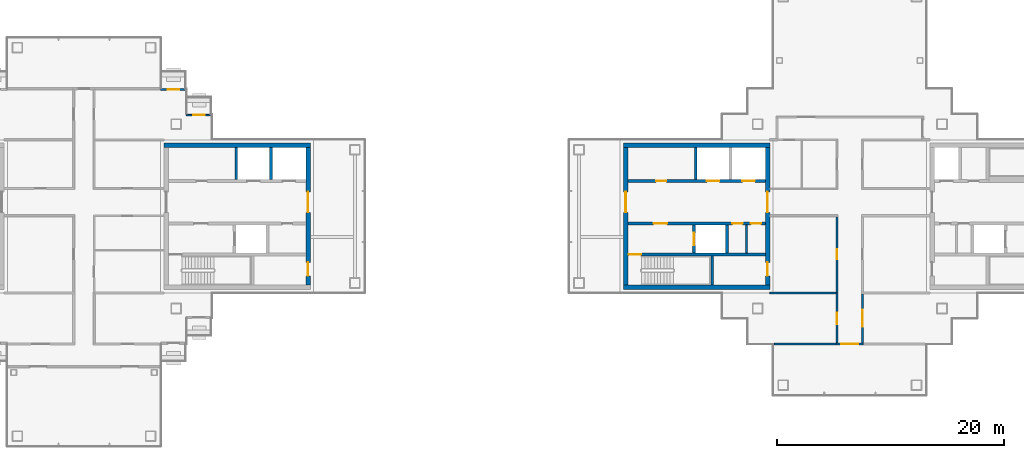
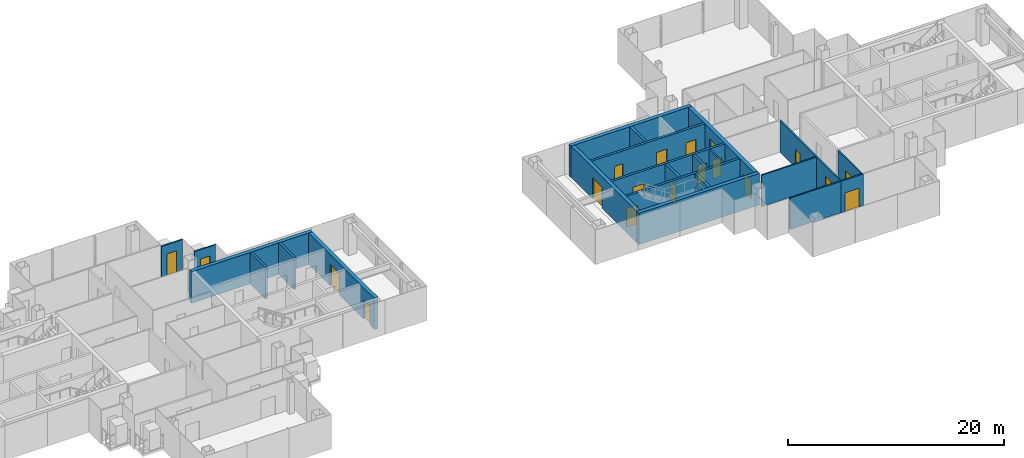
# One storey, part 11 of 16: 23 walls, 19 doors, 19 openings.
"""IFC4 building model written with IfcOpenShell, lengths in metres."""

from ifc_helpers import new_model, si_unit, direction, frame, frame_2d, origin, place, context, subcontext, project, spatial, rectangle, extrude, material, layer, layer_set, type_object, element, fill, save


model = new_model("IFC4")

# Units and contexts
model_context = context("Model", 3, precision=1e-05, world=origin(), true_north=direction((0.0, 1.0)))
body_context = subcontext(model_context, "Body", "Model", "MODEL_VIEW")
ifc_project = project(units=[si_unit("LENGTHUNIT", "METRE"), si_unit("AREAUNIT", "SQUARE_METRE"), si_unit("VOLUMEUNIT", "CUBIC_METRE"), si_unit("PLANEANGLEUNIT", "RADIAN"), si_unit("MASSUNIT", "GRAM", prefix="KILO")], contexts=[model_context])

# Site, building, storey
site_placement = place(None, origin())
site = spatial("IfcSite", under=ifc_project, at=site_placement, CompositionType="ELEMENT")
building_placement = place(site_placement, origin())
building = spatial("IfcBuilding", under=site, at=building_placement, Name="Shamsa Quay Exchange Towers", CompositionType="ELEMENT")
storey_placement = place(building_placement, frame((0.0, 0.0, 261.60009765625)))
storey = spatial("IfcBuildingStorey", under=building, at=storey_placement, Name="L63", CompositionType="ELEMENT", Elevation=261.60009765625)

# Wall, opening, door
ifc_material_1 = material(Name="Aluminium EN AW-6063 T6, black anodised, with black enamelled glass infill", Category="aluminium")
ifc_layer_1 = layer(ifc_material_1, 0.14990234375)
ifc_layer_set_1 = layer_set([ifc_layer_1], Name="BALCONY DOOR BAY WALL 150")
wall_type_1 = type_object("IfcWallType", Name="BALCONY DOOR BAY WALL 150", PredefinedType="SOLIDWALL", material=ifc_layer_set_1)
wall_1_placement = place(storey_placement, frame((-24.75, 8.925048828125, 0.0)))
wall_1 = element("IfcWall", 1, at=wall_1_placement, inside=storey, type_object=wall_type_1, Name="Door bay T1-PKEN L63", PredefinedType="SOLIDWALL", context=body_context, shape_type="SweptSolid", body=[
    extrude(rectangle(XDim=2.25, YDim=0.14990234375, at=frame_2d((1.125, 0.0))), origin(), (0.0, 0.0, 1.0), 3.449951171875),
])
opening_1_placement = place(wall_1_placement, frame((0.625, 0.0, 0.0)))
opening_1 = element("IfcOpeningElement", 2, at=opening_1_placement, cuts=wall_1, Name="Opening XD425", PredefinedType="OPENING", context=body_context, shape_type="SweptSolid", body=[
    extrude(rectangle(XDim=1.0, YDim=2.39990234375, at=frame_2d((0.5, 1.199951171875))), frame((0.0, 0.0849609375, 0.0), z_axis=(0.0, -1.0, 0.0), x_axis=(1.0, 0.0, 0.0)), (0.0, 0.0, 1.0), 0.169921875),
])
ifc_material_2 = material(Name="Aluminium EN AW-6063 T6, black anodised, with laminated glass leaf", Category="aluminium")
door_type_1 = type_object("IfcDoorType", Name="BALCONY DOOR 1000x2400", OperationType="SINGLE_SWING_LEFT", PredefinedType="DOOR", material=ifc_material_2)
door_1_placement = place(opening_1_placement, origin())
door_1 = element("IfcDoor", 3, at=door_1_placement, inside=storey, type_object=door_type_1, Name="Balcony door T1-PKEN L63", OperationType="SINGLE_SWING_RIGHT", OverallHeight=2.39990234375, OverallWidth=1.0, PredefinedType="DOOR", context=body_context, shape_type="SweptSolid", body=[
    extrude(rectangle(XDim=1.0, YDim=2.39990234375, at=frame_2d((0.5, 1.199951171875))), frame((0.0, 0.02490234375, 0.0), z_axis=(0.0, -1.0, 0.0), x_axis=(1.0, 0.0, 0.0)), (0.0, 0.0, 1.0), 0.050048828125),
])
fill(opening_1, door_1)

wall_2_placement = place(storey_placement, frame((-27.0, 11.175048828125, 0.0)))
wall_2 = element("IfcWall", 4, at=wall_2_placement, inside=storey, type_object=wall_type_1, Name="Door bay T1-PKEN L63", PredefinedType="SOLIDWALL", context=body_context, shape_type="SweptSolid", body=[
    extrude(rectangle(XDim=2.25, YDim=0.14990234375, at=frame_2d((1.125, 0.0))), origin(), (0.0, 0.0, 1.0), 3.449951171875),
])
opening_2_placement = place(wall_2_placement, frame((0.625, 0.0, 0.0)))
opening_2 = element("IfcOpeningElement", 5, at=opening_2_placement, cuts=wall_2, Name="Opening XD426", PredefinedType="OPENING", context=body_context, shape_type="SweptSolid", body=[
    extrude(rectangle(XDim=1.0, YDim=2.39990234375, at=frame_2d((0.5, 1.199951171875))), frame((0.0, 0.0849609375, 0.0), z_axis=(0.0, -1.0, 0.0), x_axis=(1.0, 0.0, 0.0)), (0.0, 0.0, 1.0), 0.169921875),
])
door_2_placement = place(opening_2_placement, origin())
door_2 = element("IfcDoor", 6, at=door_2_placement, inside=storey, type_object=door_type_1, Name="Balcony door T1-PKEN L63", OperationType="SINGLE_SWING_LEFT", OverallHeight=2.39990234375, OverallWidth=1.0, PredefinedType="DOOR", context=body_context, shape_type="SweptSolid", body=[
    extrude(rectangle(XDim=1.0, YDim=2.39990234375, at=frame_2d((0.5, 1.199951171875))), frame((0.0, 0.02490234375, 0.0), z_axis=(0.0, -1.0, 0.0), x_axis=(1.0, 0.0, 0.0)), (0.0, 0.0, 1.0), 0.050048828125),
])
fill(opening_2, door_2)

# Wall
ifc_material_3 = material(Name="Concrete C60/75", Category="concrete")
ifc_layer_2 = layer(ifc_material_3, 0.39990234375)
ifc_layer_set_2 = layer_set([ifc_layer_2], Name="CORE WALL 400 C60/75")
wall_type_2 = type_object("IfcWallType", Name="CORE WALL 400 C60/75", PredefinedType="SHEAR", material=ifc_layer_set_2)
wall_3_placement = place(storey_placement, frame((-26.699951171875, 6.25, 0.0)))
element("IfcWall", 7, at=wall_3_placement, inside=storey, type_object=wall_type_2, Name="Core wall T1A-R29-PN", PredefinedType="SHEAR", context=body_context, shape_type="SweptSolid", body=[
    extrude(rectangle(XDim=12.89990234375, YDim=0.39990234375, at=frame_2d((6.449951171875, 0.0))), origin(), (0.0, 0.0, 1.0), 3.5498046875),
])

# Wall, openings, doors
wall_4_placement = place(storey_placement, frame((-14.0, 6.050048828125, 0.0), z_axis=(0.0, 0.0, 1.0), x_axis=(0.0, -1.0, 0.0)))
wall_4 = element("IfcWall", 8, at=wall_4_placement, inside=storey, type_object=wall_type_2, Name="Core wall T1A-R29-PB", PredefinedType="SHEAR", context=body_context, shape_type="SweptSolid", body=[
    extrude(rectangle(XDim=12.10009765625, YDim=0.39990234375, at=frame_2d((6.050048828125, 0.0))), origin(), (0.0, 0.0, 1.0), 3.5498046875),
])
opening_3_placement = place(wall_4_placement, frame((10.10009765625, 0.0, 0.0)))
opening_3 = element("IfcOpeningElement", 9, at=opening_3_placement, cuts=wall_4, Name="Opening T1A-R29-RD02", PredefinedType="OPENING", context=body_context, shape_type="SweptSolid", body=[
    extrude(rectangle(XDim=1.199951171875, YDim=2.10009765625, at=frame_2d((0.60009765625, 1.050048828125))), frame((0.0, 0.2099609375, 0.0), z_axis=(0.0, -1.0, 0.0), x_axis=(1.0, 0.0, 0.0)), (0.0, 0.0, 1.0), 0.419921875),
])
opening_4_placement = place(wall_4_placement, frame((3.89990234375, 0.0, 0.0)))
opening_4 = element("IfcOpeningElement", 10, at=opening_4_placement, cuts=wall_4, Name="Opening T1A-R29-LBD03", PredefinedType="OPENING", context=body_context, shape_type="SweptSolid", body=[
    extrude(rectangle(XDim=1.800048828125, YDim=2.39990234375, at=frame_2d((0.89990234375, 1.199951171875))), frame((0.0, 0.2099609375, 0.0), z_axis=(0.0, -1.0, 0.0), x_axis=(1.0, 0.0, 0.0)), (0.0, 0.0, 1.0), 0.419921875),
])
ifc_material_4 = material(Name="Steel, fire rated", Category="steel")
door_type_2 = type_object("IfcDoorType", Name="LIFT LOBBY DOOR PAIR 1800", OperationType="DOUBLE_DOOR_SINGLE_SWING", PredefinedType="DOOR", material=ifc_material_4)
door_3_placement = place(opening_4_placement, origin())
door_3 = element("IfcDoor", 11, at=door_3_placement, inside=storey, type_object=door_type_2, Name="T1A-R29-LBD03", OperationType="DOUBLE_DOOR_SINGLE_SWING", OverallHeight=2.39990234375, OverallWidth=1.800048828125, PredefinedType="DOOR", context=body_context, shape_type="SweptSolid", body=[
    extrude(rectangle(XDim=1.800048828125, YDim=2.39990234375, at=frame_2d((0.89990234375, 1.199951171875))), frame((0.0, 0.02490234375, 0.0), z_axis=(0.0, -1.0, 0.0), x_axis=(1.0, 0.0, 0.0)), (0.0, 0.0, 1.0), 0.050048828125),
])
fill(opening_4, door_3)
door_type_3 = type_object("IfcDoorType", Name="RISER ACCESS DOOR 1200", OperationType="SINGLE_SWING_LEFT", PredefinedType="DOOR", material=ifc_material_4)
door_4_placement = place(opening_3_placement, origin())
door_4 = element("IfcDoor", 12, at=door_4_placement, inside=storey, type_object=door_type_3, Name="T1A-R29-RD02", OperationType="SINGLE_SWING_RIGHT", OverallHeight=2.10009765625, OverallWidth=1.199951171875, PredefinedType="DOOR", context=body_context, shape_type="SweptSolid", body=[
    extrude(rectangle(XDim=1.199951171875, YDim=2.10009765625, at=frame_2d((0.60009765625, 1.050048828125))), frame((0.0, 0.02490234375, 0.0), z_axis=(0.0, -1.0, 0.0), x_axis=(1.0, 0.0, 0.0)), (0.0, 0.0, 1.0), 0.050048828125),
])
fill(opening_3, door_4)

# Walls
for number, where, name in (
    (13, (13.800048828125, -6.25, 0.0), "Core wall T2A-R29-PS"),
    (14, (13.800048828125, 6.25, 0.0), "Core wall T2A-R29-PN"),
):
    element("IfcWall", number, at=place(storey_placement, frame(where)), inside=storey, type_object=wall_type_2, Name=name, PredefinedType="SHEAR", context=body_context, shape_type="SweptSolid", body=[
        extrude(rectangle(XDim=12.89990234375, YDim=0.39990234375, at=frame_2d((6.449951171875, 0.0))), origin(), (0.0, 0.0, 1.0), 3.5498046875),
    ])

# Wall, opening, door
wall_5_placement = place(storey_placement, frame((14.0, 6.050048828125, 0.0), z_axis=(0.0, 0.0, 1.0), x_axis=(0.0, -1.0, 0.0)))
wall_5 = element("IfcWall", 15, at=wall_5_placement, inside=storey, type_object=wall_type_2, Name="Core wall T2A-R29-PF", PredefinedType="SHEAR", context=body_context, shape_type="SweptSolid", body=[
    extrude(rectangle(XDim=12.10009765625, YDim=0.39990234375, at=frame_2d((6.050048828125, 0.0))), origin(), (0.0, 0.0, 1.0), 3.5498046875),
])
opening_5_placement = place(wall_5_placement, frame((3.89990234375, 0.0, 0.0)))
opening_5 = element("IfcOpeningElement", 16, at=opening_5_placement, cuts=wall_5, Name="Opening T2A-R29-LBD01", PredefinedType="OPENING", context=body_context, shape_type="SweptSolid", body=[
    extrude(rectangle(XDim=1.800048828125, YDim=2.39990234375, at=frame_2d((0.89990234375, 1.199951171875))), frame((0.0, 0.2099609375, 0.0), z_axis=(0.0, -1.0, 0.0), x_axis=(1.0, 0.0, 0.0)), (0.0, 0.0, 1.0), 0.419921875),
])
door_5_placement = place(opening_5_placement, origin())
door_5 = element("IfcDoor", 17, at=door_5_placement, inside=storey, type_object=door_type_2, Name="T2A-R29-LBD01", OperationType="DOUBLE_DOOR_SINGLE_SWING", OverallHeight=2.39990234375, OverallWidth=1.800048828125, PredefinedType="DOOR", context=body_context, shape_type="SweptSolid", body=[
    extrude(rectangle(XDim=1.800048828125, YDim=2.39990234375, at=frame_2d((0.89990234375, 1.199951171875))), frame((0.0, 0.02490234375, 0.0), z_axis=(0.0, -1.0, 0.0), x_axis=(1.0, 0.0, 0.0)), (0.0, 0.0, 1.0), 0.050048828125),
])
fill(opening_5, door_5)

# Wall, openings, doors
wall_6_placement = place(storey_placement, frame((26.5, 6.050048828125, 0.0), z_axis=(0.0, 0.0, 1.0), x_axis=(0.0, -1.0, 0.0)))
wall_6 = element("IfcWall", 18, at=wall_6_placement, inside=storey, type_object=wall_type_2, Name="Core wall T2A-R29-PB", PredefinedType="SHEAR", context=body_context, shape_type="SweptSolid", body=[
    extrude(rectangle(XDim=12.10009765625, YDim=0.39990234375, at=frame_2d((6.050048828125, 0.0))), origin(), (0.0, 0.0, 1.0), 3.5498046875),
])
opening_6_placement = place(wall_6_placement, frame((10.10009765625, 0.0, 0.0)))
opening_6 = element("IfcOpeningElement", 19, at=opening_6_placement, cuts=wall_6, Name="Opening T2A-R29-RD02", PredefinedType="OPENING", context=body_context, shape_type="SweptSolid", body=[
    extrude(rectangle(XDim=1.199951171875, YDim=2.10009765625, at=frame_2d((0.60009765625, 1.050048828125))), frame((0.0, 0.2099609375, 0.0), z_axis=(0.0, -1.0, 0.0), x_axis=(1.0, 0.0, 0.0)), (0.0, 0.0, 1.0), 0.419921875),
])
opening_7_placement = place(wall_6_placement, frame((3.89990234375, 0.0, 0.0)))
opening_7 = element("IfcOpeningElement", 20, at=opening_7_placement, cuts=wall_6, Name="Opening T2A-R29-LBD03", PredefinedType="OPENING", context=body_context, shape_type="SweptSolid", body=[
    extrude(rectangle(XDim=1.800048828125, YDim=2.39990234375, at=frame_2d((0.89990234375, 1.199951171875))), frame((0.0, 0.2099609375, 0.0), z_axis=(0.0, -1.0, 0.0), x_axis=(1.0, 0.0, 0.0)), (0.0, 0.0, 1.0), 0.419921875),
])
door_6_placement = place(opening_7_placement, origin())
door_6 = element("IfcDoor", 21, at=door_6_placement, inside=storey, type_object=door_type_2, Name="T2A-R29-LBD03", OperationType="DOUBLE_DOOR_SINGLE_SWING", OverallHeight=2.39990234375, OverallWidth=1.800048828125, PredefinedType="DOOR", context=body_context, shape_type="SweptSolid", body=[
    extrude(rectangle(XDim=1.800048828125, YDim=2.39990234375, at=frame_2d((0.89990234375, 1.199951171875))), frame((0.0, 0.02490234375, 0.0), z_axis=(0.0, -1.0, 0.0), x_axis=(1.0, 0.0, 0.0)), (0.0, 0.0, 1.0), 0.050048828125),
])
fill(opening_7, door_6)
door_7_placement = place(opening_6_placement, origin())
door_7 = element("IfcDoor", 22, at=door_7_placement, inside=storey, type_object=door_type_3, Name="T2A-R29-RD02", OperationType="SINGLE_SWING_RIGHT", OverallHeight=2.10009765625, OverallWidth=1.199951171875, PredefinedType="DOOR", context=body_context, shape_type="SweptSolid", body=[
    extrude(rectangle(XDim=1.199951171875, YDim=2.10009765625, at=frame_2d((0.60009765625, 1.050048828125))), frame((0.0, 0.02490234375, 0.0), z_axis=(0.0, -1.0, 0.0), x_axis=(1.0, 0.0, 0.0)), (0.0, 0.0, 1.0), 0.050048828125),
])
fill(opening_6, door_7)

# Wall
ifc_material_5 = material(Name="Gypsum board on steel studs, EI 60", Category="steel")
ifc_layer_3 = layer(ifc_material_5, 0.14990234375)
ifc_layer_set_3 = layer_set([ifc_layer_3], Name="FIRE PARTITION 150")
wall_type_3 = type_object("IfcWallType", Name="FIRE PARTITION 150", PredefinedType="PARTITIONING", material=ifc_layer_set_3)
wall_7_placement = place(storey_placement, frame((24.64990234375, -3.25, 0.0), z_axis=(0.0, 0.0, 1.0), x_axis=(0.0, 1.0, 0.0)))
element("IfcWall", 23, at=wall_7_placement, inside=storey, type_object=wall_type_3, Name="Partition T2A-R29-EC0", PredefinedType="PARTITIONING", context=body_context, shape_type="SweptSolid", body=[
    extrude(rectangle(XDim=2.5, YDim=0.14990234375, at=frame_2d((1.25, 0.0))), origin(), (0.0, 0.0, 1.0), 3.5498046875),
])

# Wall, openings, doors
ifc_material_6 = material(Name="Gypsum board partition on metal studs")
ifc_layer_4 = layer(ifc_material_6, 0.14990234375)
ifc_layer_set_4 = layer_set([ifc_layer_4], Name="Partition 150 mm EI 60")
wall_type_4 = type_object("IfcWallType", Name="Partition 150 mm EI 60", PredefinedType="PARTITIONING", material=ifc_layer_set_4)
wall_8_placement = place(storey_placement, frame((32.625, -11.175048828125, 0.0), z_axis=(0.0, 0.0, 1.0), x_axis=(0.0, 1.0, 0.0)))
wall_8 = element("IfcWall", 24, at=wall_8_placement, inside=storey, type_object=wall_type_4, Name="Partition T2-R29-W05", PredefinedType="PARTITIONING", context=body_context, shape_type="SweptSolid", body=[
    extrude(rectangle(XDim=11.14990234375, YDim=0.14990234375, at=frame_2d((5.574951171875, 0.0))), origin(), (0.0, 0.0, 1.0), 3.5498046875),
])
opening_8_placement = place(wall_8_placement, frame((7.375, 0.0, 0.0)))
opening_8 = element("IfcOpeningElement", 25, at=opening_8_placement, cuts=wall_8, Name="Opening T2-R29-D06", PredefinedType="OPENING", context=body_context, shape_type="SweptSolid", body=[
    extrude(rectangle(XDim=0.89990234375, YDim=2.10009765625, at=frame_2d((0.449951171875, 1.050048828125))), frame((0.0, 0.0849609375, 0.0), z_axis=(0.0, -1.0, 0.0), x_axis=(1.0, 0.0, 0.0)), (0.0, 0.0, 1.0), 0.169921875),
])
opening_9_placement = place(wall_8_placement, frame((1.675048828125, 0.0, 0.0)))
opening_9 = element("IfcOpeningElement", 26, at=opening_9_placement, cuts=wall_8, Name="Opening T2-R29-D07", PredefinedType="OPENING", context=body_context, shape_type="SweptSolid", body=[
    extrude(rectangle(XDim=1.0, YDim=2.39990234375, at=frame_2d((0.5, 1.199951171875))), frame((0.0, 0.0849609375, 0.0), z_axis=(0.0, -1.0, 0.0), x_axis=(1.0, 0.0, 0.0)), (0.0, 0.0, 1.0), 0.169921875),
])
ifc_material_7 = material(Name="Timber door leaf in a metal frame", Category="wood")
door_type_4 = type_object("IfcDoorType", Name="Door 1000x2400 FD30S", OperationType="NOTDEFINED", PredefinedType="DOOR", material=ifc_material_7)
door_8_placement = place(opening_9_placement, origin())
door_8 = element("IfcDoor", 27, at=door_8_placement, inside=storey, type_object=door_type_4, Name="Door T2-R29-D07", OperationType="SINGLE_SWING_RIGHT", OverallHeight=2.39990234375, OverallWidth=1.0, PredefinedType="DOOR", context=body_context, shape_type="SweptSolid", body=[
    extrude(rectangle(XDim=1.0, YDim=2.39990234375, at=frame_2d((0.5, 1.199951171875))), frame((0.0, 0.02490234375, 0.0), z_axis=(0.0, -1.0, 0.0), x_axis=(1.0, 0.0, 0.0)), (0.0, 0.0, 1.0), 0.050048828125),
])
fill(opening_9, door_8)
door_type_5 = type_object("IfcDoorType", Name="Door 900x2100 FD30S", OperationType="NOTDEFINED", PredefinedType="DOOR", material=ifc_material_7)
door_9_placement = place(opening_8_placement, origin())
door_9 = element("IfcDoor", 28, at=door_9_placement, inside=storey, type_object=door_type_5, Name="Door T2-R29-D06", OperationType="SINGLE_SWING_RIGHT", OverallHeight=2.10009765625, OverallWidth=0.89990234375, PredefinedType="DOOR", context=body_context, shape_type="SweptSolid", body=[
    extrude(rectangle(XDim=0.89990234375, YDim=2.10009765625, at=frame_2d((0.449951171875, 1.050048828125))), frame((0.0, 0.02490234375, 0.0), z_axis=(0.0, -1.0, 0.0), x_axis=(1.0, 0.0, 0.0)), (0.0, 0.0, 1.0), 0.050048828125),
])
fill(opening_8, door_9)

# Wall, opening, door
wall_9_placement = place(storey_placement, frame((34.875, -6.85009765625, 0.0), z_axis=(0.0, 0.0, 1.0), x_axis=(0.0, -1.0, 0.0)))
wall_9 = element("IfcWall", 29, at=wall_9_placement, inside=storey, type_object=wall_type_4, Name="Partition T2-R29-W14", PredefinedType="PARTITIONING", context=body_context, shape_type="SweptSolid", body=[
    extrude(rectangle(XDim=4.324951171875, YDim=0.14990234375, at=frame_2d((2.16259765625, 0.0))), origin(), (0.0, 0.0, 1.0), 3.5498046875),
])
opening_10_placement = place(wall_9_placement, frame((1.39990234375, 0.0, 0.0)))
opening_10 = element("IfcOpeningElement", 30, at=opening_10_placement, cuts=wall_9, Name="Opening T2-R29-D02", PredefinedType="OPENING", context=body_context, shape_type="SweptSolid", body=[
    extrude(rectangle(XDim=1.5, YDim=2.10009765625, at=frame_2d((0.75, 1.050048828125))), frame((0.0, 0.0849609375, 0.0), z_axis=(0.0, -1.0, 0.0), x_axis=(1.0, 0.0, 0.0)), (0.0, 0.0, 1.0), 0.169921875),
])
door_type_6 = type_object("IfcDoorType", Name="Door 1500x2100 FD30S pair", OperationType="NOTDEFINED", PredefinedType="DOOR", material=ifc_material_7)
door_10_placement = place(opening_10_placement, origin())
door_10 = element("IfcDoor", 31, at=door_10_placement, inside=storey, type_object=door_type_6, Name="Door T2-R29-D02", OperationType="DOUBLE_DOOR_SINGLE_SWING", OverallHeight=2.10009765625, OverallWidth=1.5, PredefinedType="DOOR", context=body_context, shape_type="SweptSolid", body=[
    extrude(rectangle(XDim=1.5, YDim=2.10009765625, at=frame_2d((0.75, 1.050048828125))), frame((0.0, 0.02490234375, 0.0), z_axis=(0.0, -1.0, 0.0), x_axis=(1.0, 0.0, 0.0)), (0.0, 0.0, 1.0), 0.050048828125),
])
fill(opening_10, door_10)

wall_10_placement = place(storey_placement, frame((34.949951171875, -11.25, 0.0), z_axis=(0.0, 0.0, 1.0), x_axis=(-1.0, 0.0, 0.0)))
wall_10 = element("IfcWall", 32, at=wall_10_placement, inside=storey, type_object=wall_type_4, Name="Partition T2-R29-W15", PredefinedType="PARTITIONING", context=body_context, shape_type="SweptSolid", body=[
    extrude(rectangle(XDim=2.39990234375, YDim=0.14990234375, at=frame_2d((1.199951171875, 0.0))), origin(), (0.0, 0.0, 1.0), 3.5498046875),
])
opening_11_placement = place(wall_10_placement, frame((0.449951171875, 0.0, 0.0)))
opening_11 = element("IfcOpeningElement", 33, at=opening_11_placement, cuts=wall_10, Name="Opening T2-R29-D05", PredefinedType="OPENING", context=body_context, shape_type="SweptSolid", body=[
    extrude(rectangle(XDim=1.5, YDim=2.10009765625, at=frame_2d((0.75, 1.050048828125))), frame((0.0, 0.0849609375, 0.0), z_axis=(0.0, -1.0, 0.0), x_axis=(1.0, 0.0, 0.0)), (0.0, 0.0, 1.0), 0.169921875),
])
door_11_placement = place(opening_11_placement, origin())
door_11 = element("IfcDoor", 34, at=door_11_placement, inside=storey, type_object=door_type_6, Name="Door T2-R29-D05", OperationType="DOUBLE_DOOR_SINGLE_SWING", OverallHeight=2.10009765625, OverallWidth=1.5, PredefinedType="DOOR", context=body_context, shape_type="SweptSolid", body=[
    extrude(rectangle(XDim=1.5, YDim=2.10009765625, at=frame_2d((0.75, 1.050048828125))), frame((0.0, 0.02490234375, 0.0), z_axis=(0.0, -1.0, 0.0), x_axis=(1.0, 0.0, 0.0)), (0.0, 0.0, 1.0), 0.050048828125),
])
fill(opening_11, door_11)

# Walls
wall_11_placement = place(storey_placement, frame((26.699951171875, -6.75, 0.0)))
element("IfcWall", 35, at=wall_11_placement, inside=storey, type_object=wall_type_4, Name="Partition T2-R29-W19", PredefinedType="PARTITIONING", context=body_context, shape_type="SweptSolid", body=[
    extrude(rectangle(XDim=5.85009765625, YDim=0.14990234375, at=frame_2d((2.925048828125, 0.0))), origin(), (0.0, 0.0, 1.0), 3.5498046875),
])
wall_12_placement = place(storey_placement, frame((27.094970703125, -11.25, 0.0)))
element("IfcWall", 36, at=wall_12_placement, inside=storey, type_object=wall_type_4, Name="Partition T2-R29-W22", PredefinedType="PARTITIONING", context=body_context, shape_type="SweptSolid", body=[
    extrude(rectangle(XDim=5.60498046875, YDim=0.14990234375, at=frame_2d((2.802490234375, 0.0))), origin(), (0.0, 0.0, 1.0), 3.5498046875),
])
ifc_material_8 = material(Name="Concrete C50/60", Category="concrete")
ifc_layer_5 = layer(ifc_material_8, 0.25)
ifc_layer_set_5 = layer_set([ifc_layer_5], Name="SHAFT WALL 250 C50/60")
wall_type_5 = type_object("IfcWallType", Name="SHAFT WALL 250 C50/60", PredefinedType="SHEAR", material=ifc_layer_set_5)
for number, where, z_axis, x_axis, name in (
    (37, (-20.324951171875, 3.25, 0.0), (0.0, 0.0, 1.0), (0.0, 1.0, 0.0), "Shaft wall T1A-R29-D1"),
    (38, (-17.27490234375, 3.25, 0.0), (0.0, 0.0, 1.0), (0.0, 1.0, 0.0), "Shaft wall T1A-R29-D2"),
):
    element("IfcWall", number, at=place(storey_placement, frame(where, z_axis=z_axis, x_axis=x_axis)), inside=storey, type_object=wall_type_5, Name=name, PredefinedType="SHEAR", context=body_context, shape_type="SweptSolid", body=[
        extrude(rectangle(XDim=2.800048828125, YDim=0.25, at=frame_2d((1.39990234375, 0.0))), origin(), (0.0, 0.0, 1.0), 3.5498046875),
    ])

# Wall, opening, door
wall_13_placement = place(storey_placement, frame((26.300048828125, -3.375, 0.0), z_axis=(0.0, 0.0, 1.0), x_axis=(-1.0, 0.0, 0.0)))
wall_13 = element("IfcWall", 39, at=wall_13_placement, inside=storey, type_object=wall_type_5, Name="Shaft wall T2A-R29-STL", PredefinedType="SHEAR", context=body_context, shape_type="SweptSolid", body=[
    extrude(rectangle(XDim=12.10009765625, YDim=0.25, at=frame_2d((6.050048828125, 0.0))), origin(), (0.0, 0.0, 1.0), 3.5498046875),
])
opening_12_placement = place(wall_13_placement, frame((10.949951171875, 0.0, 0.0)))
opening_12 = element("IfcOpeningElement", 40, at=opening_12_placement, cuts=wall_13, Name="Opening T2A-R29-SD04", PredefinedType="OPENING", context=body_context, shape_type="SweptSolid", body=[
    extrude(rectangle(XDim=1.10009765625, YDim=2.10009765625, at=frame_2d((0.550048828125, 1.050048828125))), frame((0.0, 0.135009765625, 0.0), z_axis=(0.0, -1.0, 0.0), x_axis=(1.0, 0.0, 0.0)), (0.0, 0.0, 1.0), 0.27001953125),
])
door_type_7 = type_object("IfcDoorType", Name="STAIR DOOR 1100", OperationType="SINGLE_SWING_LEFT", PredefinedType="DOOR", material=ifc_material_4)
door_12_placement = place(opening_12_placement, origin())
door_12 = element("IfcDoor", 41, at=door_12_placement, inside=storey, type_object=door_type_7, Name="T2A-R29-SD04", OperationType="SINGLE_SWING_RIGHT", OverallHeight=2.10009765625, OverallWidth=1.10009765625, PredefinedType="DOOR", context=body_context, shape_type="SweptSolid", body=[
    extrude(rectangle(XDim=1.10009765625, YDim=2.10009765625, at=frame_2d((0.550048828125, 1.050048828125))), frame((0.0, 0.02490234375, 0.0), z_axis=(0.0, -1.0, 0.0), x_axis=(1.0, 0.0, 0.0)), (0.0, 0.0, 1.0), 0.050048828125),
])
fill(opening_12, door_12)

# Wall
wall_14_placement = place(storey_placement, frame((21.625, -6.050048828125, 0.0), z_axis=(0.0, 0.0, 1.0), x_axis=(0.0, 1.0, 0.0)))
element("IfcWall", 42, at=wall_14_placement, inside=storey, type_object=wall_type_5, Name="Shaft wall T2A-R29-STF", PredefinedType="SHEAR", context=body_context, shape_type="SweptSolid", body=[
    extrude(rectangle(XDim=2.550048828125, YDim=0.25, at=frame_2d((1.27490234375, 0.0))), origin(), (0.0, 0.0, 1.0), 3.5498046875),
])

# Wall, openings, doors
wall_15_placement = place(storey_placement, frame((26.300048828125, -0.625, 0.0), z_axis=(0.0, 0.0, 1.0), x_axis=(-1.0, 0.0, 0.0)))
wall_15 = element("IfcWall", 43, at=wall_15_placement, inside=storey, type_object=wall_type_5, Name="Shaft wall T2A-R29-B", PredefinedType="SHEAR", context=body_context, shape_type="SweptSolid", body=[
    extrude(rectangle(XDim=12.10009765625, YDim=0.25, at=frame_2d((6.050048828125, 0.0))), origin(), (0.0, 0.0, 1.0), 3.5498046875),
])
opening_13_placement = place(wall_15_placement, frame((8.64990234375, 0.0, 0.0)))
opening_13 = element("IfcOpeningElement", 44, at=opening_13_placement, cuts=wall_15, Name="Opening T2A-R29-FD05", PredefinedType="OPENING", context=body_context, shape_type="SweptSolid", body=[
    extrude(rectangle(XDim=1.199951171875, YDim=2.10009765625, at=frame_2d((0.60009765625, 1.050048828125))), frame((0.0, 0.135009765625, 0.0), z_axis=(0.0, -1.0, 0.0), x_axis=(1.0, 0.0, 0.0)), (0.0, 0.0, 1.0), 0.27001953125),
])
opening_14_placement = place(wall_15_placement, frame((2.0, 0.0, 0.0)))
opening_14 = element("IfcOpeningElement", 45, at=opening_14_placement, cuts=wall_15, Name="Opening T2A-R29-SV06", PredefinedType="OPENING", context=body_context, shape_type="SweptSolid", body=[
    extrude(rectangle(XDim=0.89990234375, YDim=2.10009765625, at=frame_2d((0.449951171875, 1.050048828125))), frame((0.0, 0.135009765625, 0.0), z_axis=(0.0, -1.0, 0.0), x_axis=(1.0, 0.0, 0.0)), (0.0, 0.0, 1.0), 0.27001953125),
])
opening_15_placement = place(wall_15_placement, frame((0.375, 0.0, 0.0)))
opening_15 = element("IfcOpeningElement", 46, at=opening_15_placement, cuts=wall_15, Name="Opening T2A-R29-SV07", PredefinedType="OPENING", context=body_context, shape_type="SweptSolid", body=[
    extrude(rectangle(XDim=0.89990234375, YDim=2.10009765625, at=frame_2d((0.449951171875, 1.050048828125))), frame((0.0, 0.135009765625, 0.0), z_axis=(0.0, -1.0, 0.0), x_axis=(1.0, 0.0, 0.0)), (0.0, 0.0, 1.0), 0.27001953125),
])
door_type_8 = type_object("IfcDoorType", Name="FIRE SERVICE LOBBY DOOR 1200", OperationType="SINGLE_SWING_LEFT", PredefinedType="DOOR", material=ifc_material_4)
door_13_placement = place(opening_13_placement, origin())
door_13 = element("IfcDoor", 47, at=door_13_placement, inside=storey, type_object=door_type_8, Name="T2A-R29-FD05", OperationType="SINGLE_SWING_RIGHT", OverallHeight=2.10009765625, OverallWidth=1.199951171875, PredefinedType="DOOR", context=body_context, shape_type="SweptSolid", body=[
    extrude(rectangle(XDim=1.199951171875, YDim=2.10009765625, at=frame_2d((0.60009765625, 1.050048828125))), frame((0.0, 0.02490234375, 0.0), z_axis=(0.0, -1.0, 0.0), x_axis=(1.0, 0.0, 0.0)), (0.0, 0.0, 1.0), 0.050048828125),
])
fill(opening_13, door_13)
door_type_9 = type_object("IfcDoorType", Name="SERVICE ROOM DOOR 900", OperationType="SINGLE_SWING_LEFT", PredefinedType="DOOR", material=ifc_material_4)
door_14_placement = place(opening_14_placement, origin())
door_14 = element("IfcDoor", 48, at=door_14_placement, inside=storey, type_object=door_type_9, Name="T2A-R29-SV06", OperationType="SINGLE_SWING_LEFT", OverallHeight=2.10009765625, OverallWidth=0.89990234375, PredefinedType="DOOR", context=body_context, shape_type="SweptSolid", body=[
    extrude(rectangle(XDim=0.89990234375, YDim=2.10009765625, at=frame_2d((0.449951171875, 1.050048828125))), frame((0.0, 0.02490234375, 0.0), z_axis=(0.0, -1.0, 0.0), x_axis=(1.0, 0.0, 0.0)), (0.0, 0.0, 1.0), 0.050048828125),
])
fill(opening_14, door_14)
door_15_placement = place(opening_15_placement, origin())
door_15 = element("IfcDoor", 49, at=door_15_placement, inside=storey, type_object=door_type_9, Name="T2A-R29-SV07", OperationType="SINGLE_SWING_LEFT", OverallHeight=2.10009765625, OverallWidth=0.89990234375, PredefinedType="DOOR", context=body_context, shape_type="SweptSolid", body=[
    extrude(rectangle(XDim=0.89990234375, YDim=2.10009765625, at=frame_2d((0.449951171875, 1.050048828125))), frame((0.0, 0.02490234375, 0.0), z_axis=(0.0, -1.0, 0.0), x_axis=(1.0, 0.0, 0.0)), (0.0, 0.0, 1.0), 0.050048828125),
])
fill(opening_15, door_15)

# Wall, opening, door
wall_16_placement = place(storey_placement, frame((20.02490234375, -3.25, 0.0), z_axis=(0.0, 0.0, 1.0), x_axis=(0.0, 1.0, 0.0)))
wall_16 = element("IfcWall", 50, at=wall_16_placement, inside=storey, type_object=wall_type_5, Name="Shaft wall T2A-R29-FFF", PredefinedType="SHEAR", context=body_context, shape_type="SweptSolid", body=[
    extrude(rectangle(XDim=2.5, YDim=0.25, at=frame_2d((1.25, 0.0))), origin(), (0.0, 0.0, 1.0), 3.5498046875),
])
opening_16_placement = place(wall_16_placement, frame((0.699951171875, 0.0, 0.0)))
opening_16 = element("IfcOpeningElement", 51, at=opening_16_placement, cuts=wall_16, Name="Opening T2A-R29-LDF08", PredefinedType="OPENING", context=body_context, shape_type="SweptSolid", body=[
    extrude(rectangle(XDim=1.10009765625, YDim=2.10009765625, at=frame_2d((0.550048828125, 1.050048828125))), frame((0.0, 0.135009765625, 0.0), z_axis=(0.0, -1.0, 0.0), x_axis=(1.0, 0.0, 0.0)), (0.0, 0.0, 1.0), 0.27001953125),
])
door_type_10 = type_object("IfcDoorType", Name="FIRE SERVICE LANDING DOOR 1100", OperationType="SLIDING_TO_LEFT", PredefinedType="DOOR", material=ifc_material_4)
door_16_placement = place(opening_16_placement, origin())
door_16 = element("IfcDoor", 52, at=door_16_placement, inside=storey, type_object=door_type_10, Name="T2A-R29-LDF08", OperationType="SLIDING_TO_LEFT", OverallHeight=2.10009765625, OverallWidth=1.10009765625, PredefinedType="DOOR", context=body_context, shape_type="SweptSolid", body=[
    extrude(rectangle(XDim=1.10009765625, YDim=2.10009765625, at=frame_2d((0.550048828125, 1.050048828125))), frame((0.0, 0.02490234375, 0.0), z_axis=(0.0, -1.0, 0.0), x_axis=(1.0, 0.0, 0.0)), (0.0, 0.0, 1.0), 0.050048828125),
])
fill(opening_16, door_16)

# Wall
wall_17_placement = place(storey_placement, frame((22.925048828125, -3.25, 0.0), z_axis=(0.0, 0.0, 1.0), x_axis=(0.0, 1.0, 0.0)))
element("IfcWall", 53, at=wall_17_placement, inside=storey, type_object=wall_type_5, Name="Shaft wall T2A-R29-FFB", PredefinedType="SHEAR", context=body_context, shape_type="SweptSolid", body=[
    extrude(rectangle(XDim=2.5, YDim=0.25, at=frame_2d((1.25, 0.0))), origin(), (0.0, 0.0, 1.0), 3.5498046875),
])

# Wall, openings, doors
wall_18_placement = place(storey_placement, frame((14.199951171875, 3.125, 0.0)))
wall_18 = element("IfcWall", 54, at=wall_18_placement, inside=storey, type_object=wall_type_5, Name="Shaft wall T2A-R29-N", PredefinedType="SHEAR", context=body_context, shape_type="SweptSolid", body=[
    extrude(rectangle(XDim=12.10009765625, YDim=0.25, at=frame_2d((6.050048828125, 0.0))), origin(), (0.0, 0.0, 1.0), 3.5498046875),
])
opening_17_placement = place(wall_18_placement, frame((6.949951171875, 0.0, 0.0)))
opening_17 = element("IfcOpeningElement", 55, at=opening_17_placement, cuts=wall_18, Name="Opening T2A-R29-LD09", PredefinedType="OPENING", context=body_context, shape_type="SweptSolid", body=[
    extrude(rectangle(XDim=1.10009765625, YDim=2.10009765625, at=frame_2d((0.550048828125, 1.050048828125))), frame((0.0, 0.135009765625, 0.0), z_axis=(0.0, -1.0, 0.0), x_axis=(1.0, 0.0, 0.0)), (0.0, 0.0, 1.0), 0.27001953125),
])
opening_18_placement = place(wall_18_placement, frame((10.074951171875, 0.0, 0.0)))
opening_18 = element("IfcOpeningElement", 56, at=opening_18_placement, cuts=wall_18, Name="Opening T2A-R29-LD10", PredefinedType="OPENING", context=body_context, shape_type="SweptSolid", body=[
    extrude(rectangle(XDim=1.10009765625, YDim=2.10009765625, at=frame_2d((0.550048828125, 1.050048828125))), frame((0.0, 0.135009765625, 0.0), z_axis=(0.0, -1.0, 0.0), x_axis=(1.0, 0.0, 0.0)), (0.0, 0.0, 1.0), 0.27001953125),
])
opening_19_placement = place(wall_18_placement, frame((2.47509765625, 0.0, 0.0)))
opening_19 = element("IfcOpeningElement", 57, at=opening_19_placement, cuts=wall_18, Name="Opening T2A-R29-SV11", PredefinedType="OPENING", context=body_context, shape_type="SweptSolid", body=[
    extrude(rectangle(XDim=0.89990234375, YDim=2.10009765625, at=frame_2d((0.449951171875, 1.050048828125))), frame((0.0, 0.135009765625, 0.0), z_axis=(0.0, -1.0, 0.0), x_axis=(1.0, 0.0, 0.0)), (0.0, 0.0, 1.0), 0.27001953125),
])
door_type_11 = type_object("IfcDoorType", Name="LANDING DOOR 1100", OperationType="SLIDING_TO_LEFT", PredefinedType="DOOR", material=ifc_material_4)
door_17_placement = place(opening_17_placement, origin())
door_17 = element("IfcDoor", 58, at=door_17_placement, inside=storey, type_object=door_type_11, Name="T2A-R29-LD09", OperationType="SLIDING_TO_LEFT", OverallHeight=2.10009765625, OverallWidth=1.10009765625, PredefinedType="DOOR", context=body_context, shape_type="SweptSolid", body=[
    extrude(rectangle(XDim=1.10009765625, YDim=2.10009765625, at=frame_2d((0.550048828125, 1.050048828125))), frame((0.0, 0.02490234375, 0.0), z_axis=(0.0, -1.0, 0.0), x_axis=(1.0, 0.0, 0.0)), (0.0, 0.0, 1.0), 0.050048828125),
])
fill(opening_17, door_17)
door_18_placement = place(opening_18_placement, origin())
door_18 = element("IfcDoor", 59, at=door_18_placement, inside=storey, type_object=door_type_11, Name="T2A-R29-LD10", OperationType="SLIDING_TO_LEFT", OverallHeight=2.10009765625, OverallWidth=1.10009765625, PredefinedType="DOOR", context=body_context, shape_type="SweptSolid", body=[
    extrude(rectangle(XDim=1.10009765625, YDim=2.10009765625, at=frame_2d((0.550048828125, 1.050048828125))), frame((0.0, 0.02490234375, 0.0), z_axis=(0.0, -1.0, 0.0), x_axis=(1.0, 0.0, 0.0)), (0.0, 0.0, 1.0), 0.050048828125),
])
fill(opening_18, door_18)
door_19_placement = place(opening_19_placement, origin())
door_19 = element("IfcDoor", 60, at=door_19_placement, inside=storey, type_object=door_type_9, Name="T2A-R29-SV11", OperationType="SINGLE_SWING_LEFT", OverallHeight=2.10009765625, OverallWidth=0.89990234375, PredefinedType="DOOR", context=body_context, shape_type="SweptSolid", body=[
    extrude(rectangle(XDim=0.89990234375, YDim=2.10009765625, at=frame_2d((0.449951171875, 1.050048828125))), frame((0.0, 0.02490234375, 0.0), z_axis=(0.0, -1.0, 0.0), x_axis=(1.0, 0.0, 0.0)), (0.0, 0.0, 1.0), 0.050048828125),
])
fill(opening_19, door_19)

# Wall
wall_19_placement = place(storey_placement, frame((20.175048828125, 3.25, 0.0), z_axis=(0.0, 0.0, 1.0), x_axis=(0.0, 1.0, 0.0)))
element("IfcWall", 61, at=wall_19_placement, inside=storey, type_object=wall_type_5, Name="Shaft wall T2A-R29-D1", PredefinedType="SHEAR", context=body_context, shape_type="SweptSolid", body=[
    extrude(rectangle(XDim=2.800048828125, YDim=0.25, at=frame_2d((1.39990234375, 0.0))), origin(), (0.0, 0.0, 1.0), 3.5498046875),
])

save(model, "model.ifc")
